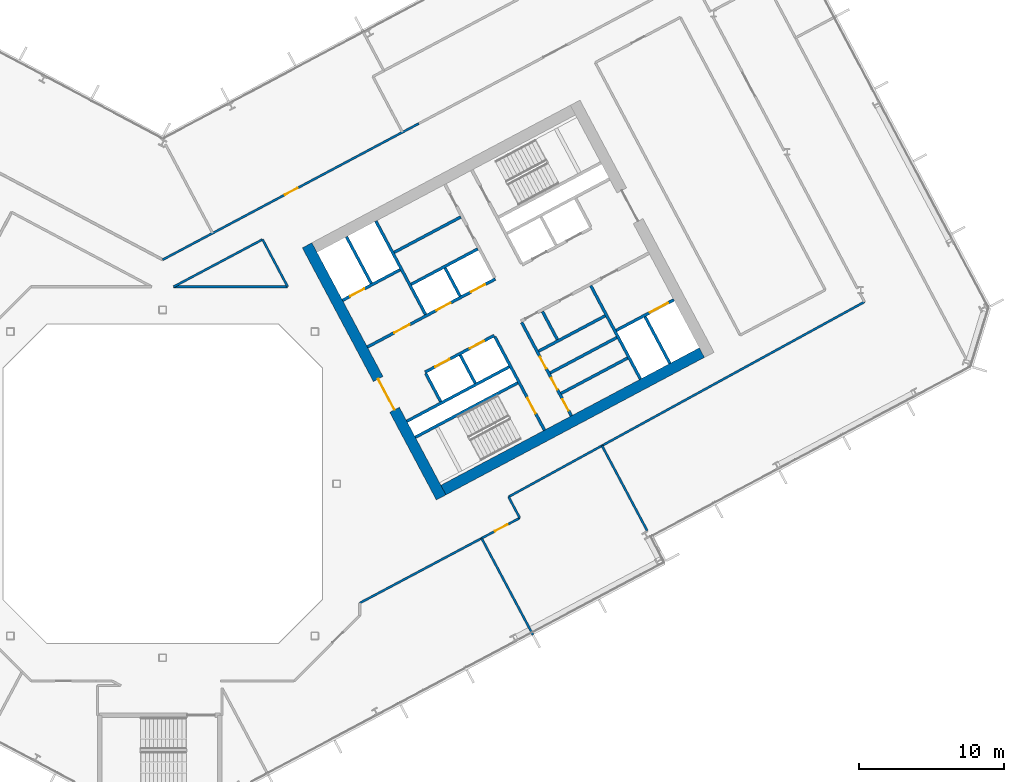
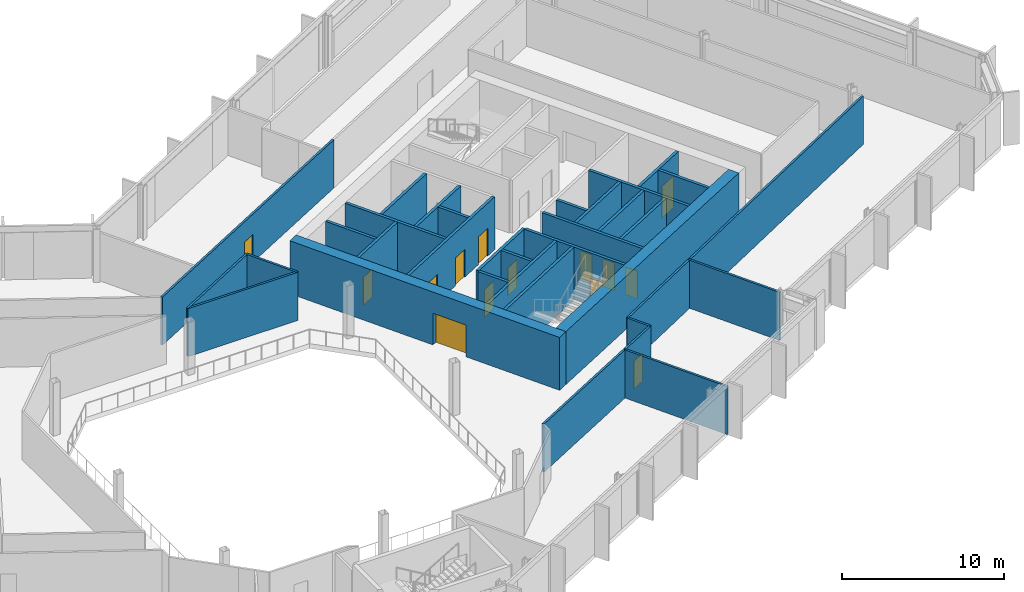
# One storey, part 16 of 28: 34 walls, 14 doors, 14 openings.
"""IFC4 building model written with IfcOpenShell, lengths in metres."""

from ifc_helpers import new_model, si_unit, direction, frame, frame_2d, origin, place, context, subcontext, project, spatial, rectangle, extrude, material, layer, layer_set, type_object, element, fill, save


model = new_model("IFC4")

# Units and contexts
model_context = context("Model", 3, precision=1e-05, world=origin(), true_north=direction((0.0, 1.0)))
body_context = subcontext(model_context, "Body", "Model", "MODEL_VIEW")
ifc_project = project(units=[si_unit("LENGTHUNIT", "METRE"), si_unit("AREAUNIT", "SQUARE_METRE"), si_unit("VOLUMEUNIT", "CUBIC_METRE"), si_unit("PLANEANGLEUNIT", "RADIAN"), si_unit("MASSUNIT", "GRAM", prefix="KILO")], contexts=[model_context])

# Site, building, storey
site_placement = place(None, origin())
site = spatial("IfcSite", under=ifc_project, at=site_placement, CompositionType="ELEMENT")
building_placement = place(site_placement, origin())
building = spatial("IfcBuilding", under=site, at=building_placement, Name="Cormorant Relay Tower", CompositionType="ELEMENT")
storey_placement = place(building_placement, frame((0.0, 0.0, 166.199951171875)))
storey = spatial("IfcBuildingStorey", under=building, at=storey_placement, Name="L35", CompositionType="ELEMENT", Elevation=166.199951171875)

# Walls
ifc_material_1 = material(Name="Concrete 40 MPa", Category="concrete")
ifc_layer_1 = layer(ifc_material_1, 0.199951171875)
ifc_layer_set_1 = layer_set([ifc_layer_1], Name="Core internal wall 200")
wall_type_1 = type_object("IfcWallType", Name="Core internal wall 200", PredefinedType="SOLIDWALL", material=ifc_layer_set_1)
for number, where, z_axis, x_axis, name in (
    (1, (21.567626953125, 6.9375, 0.0), (0.0, 0.0, 1.0), (-0.469533832133, 0.882914480843, 0.0), "L35 core B shaft and room wall"),
    (2, (20.522216796875, 12.950439453125, 0.0), (0.0, 0.0, 1.0), (-0.469401318492, 0.882984938828, 0.0), "L35 core B shaft and room wall"),
    (3, (27.236083984375, 9.951416015625, 0.0), (0.0, 0.0, 1.0), (-0.4694473164, 0.882960484464, 0.0), "L35 core B shaft and room wall"),
):
    element("IfcWall", number, at=place(storey_placement, frame(where, z_axis=z_axis, x_axis=x_axis)), inside=storey, type_object=wall_type_1, Name=name, PredefinedType="SOLIDWALL", context=body_context, shape_type="SweptSolid", body=[
        extrude(rectangle(XDim=2.199951171875, YDim=0.199951171875, at=frame_2d((1.10009765625, 0.0))), origin(), (0.0, 0.0, 1.0), 4.0),
    ])
for number, where, z_axis, x_axis, name in (
    (4, (27.490234375, 6.23583984375, 0.0), (0.0, 0.0, 1.0), (0.882953967957, 0.469459572775, 0.0), "L35 core B shaft and room wall"),
    (5, (26.739013671875, 7.6484375, 0.0), (0.0, 0.0, 1.0), (0.882934506056, 0.469496174655, 0.0), "L35 core B shaft and room wall"),
    (6, (15.97314453125, 15.968017578125, 0.0), (0.0, 0.0, 1.0), (0.882953967957, 0.469459572775, 0.0), "L35 core B shaft and room wall"),
):
    element("IfcWall", number, at=place(storey_placement, frame(where, z_axis=z_axis, x_axis=x_axis)), inside=storey, type_object=wall_type_1, Name=name, PredefinedType="SOLIDWALL", context=body_context, shape_type="SweptSolid", body=[
        extrude(rectangle(XDim=5.199951171875, YDim=0.199951171875, at=frame_2d((2.60009765625, 0.0))), origin(), (0.0, 0.0, 1.0), 4.0),
    ])
ifc_material_2 = material(Name="Concrete 50 MPa", Category="concrete")
ifc_layer_2 = layer(ifc_material_2, 0.199951171875)
ifc_layer_set_2 = layer_set([ifc_layer_2], Name="Core shaft wall 200")
wall_type_2 = type_object("IfcWallType", Name="Core shaft wall 200", PredefinedType="SHEAR", material=ifc_layer_set_2)
wall_1_placement = place(storey_placement, frame((14.39404296875, 13.825927734375, 0.0), z_axis=(0.0, 0.0, 1.0), x_axis=(-0.469494272526, 0.882935517501, 0.0)))
element("IfcWall", 7, at=wall_1_placement, inside=storey, type_object=wall_type_2, Name="L35 core B shaft wall", PredefinedType="SHEAR", context=body_context, shape_type="SweptSolid", body=[
    extrude(rectangle(XDim=3.64990234375, YDim=0.199951171875, at=frame_2d((1.824951171875, 0.0))), origin(), (0.0, 0.0, 1.0), 4.0),
])
wall_2_placement = place(storey_placement, frame((19.18359375, 5.669921875, 0.0), z_axis=(0.0, 0.0, 1.0), x_axis=(-0.4694473164, 0.882960484464, 0.0)))
element("IfcWall", 8, at=wall_2_placement, inside=storey, type_object=wall_type_2, Name="L35 core B shaft wall", PredefinedType="SHEAR", context=body_context, shape_type="SweptSolid", body=[
    extrude(rectangle(XDim=2.199951171875, YDim=0.199951171875, at=frame_2d((1.10009765625, 0.0))), origin(), (0.0, 0.0, 1.0), 4.0),
])
wall_3_placement = place(storey_placement, frame((18.138427734375, 11.682861328125, 0.0), z_axis=(0.0, 0.0, 1.0), x_axis=(-0.469480409012, 0.88294288918, 0.0)))
element("IfcWall", 9, at=wall_3_placement, inside=storey, type_object=wall_type_2, Name="L35 core B shaft wall", PredefinedType="SHEAR", context=body_context, shape_type="SweptSolid", body=[
    extrude(rectangle(XDim=7.300048828125, YDim=0.199951171875, at=frame_2d((3.64990234375, 0.0))), origin(), (0.0, 0.0, 1.0), 4.0),
])

# Wall, opening, door
wall_4_placement = place(storey_placement, frame((26.345947265625, 3.701904296875, 0.0), z_axis=(0.0, 0.0, 1.0), x_axis=(-0.469480409012, 0.88294288918, 0.0)))
wall_4 = element("IfcWall", 10, at=wall_4_placement, inside=storey, type_object=wall_type_2, Name="L35 core B shaft wall", PredefinedType="SHEAR", context=body_context, shape_type="SweptSolid", body=[
    extrude(rectangle(XDim=7.300048828125, YDim=0.199951171875, at=frame_2d((3.64990234375, 0.0))), origin(), (0.0, 0.0, 1.0), 4.0),
])
opening_1_placement = place(wall_4_placement, frame((1.300048828125, 0.0, 0.0)))
opening_1 = element("IfcOpeningElement", 11, at=opening_1_placement, cuts=wall_4, Name="Opening CDB-036", PredefinedType="OPENING", context=body_context, shape_type="SweptSolid", body=[
    extrude(rectangle(XDim=1.199951171875, YDim=2.10009765625, at=frame_2d((0.60009765625, 1.050048828125))), frame((0.0, 0.10986328125, 0.0), z_axis=(0.0, -1.0, 0.0), x_axis=(1.0, 0.0, 0.0)), (0.0, 0.0, 1.0), 0.219970703125),
])
ifc_material_3 = material(Name="Steel fire door", Category="steel")
door_type_1 = type_object("IfcDoorType", Name="Core stair door 1200x2100", OperationType="SINGLE_SWING_LEFT", PredefinedType="DOOR", material=ifc_material_3)
door_1_placement = place(opening_1_placement, origin())
door_1 = element("IfcDoor", 12, at=door_1_placement, inside=storey, type_object=door_type_1, Name="Core stair door 1200x2100", OperationType="SINGLE_SWING_RIGHT", OverallHeight=2.10009765625, OverallWidth=1.199951171875, PredefinedType="DOOR", context=body_context, shape_type="SweptSolid", body=[
    extrude(rectangle(XDim=1.199951171875, YDim=2.10009765625, at=frame_2d((0.60009765625, 1.050048828125))), frame((0.0, 0.02490234375, 0.0), z_axis=(0.0, -1.0, 0.0), x_axis=(1.0, 0.0, 0.0)), (0.0, 0.0, 1.0), 0.050048828125),
])
fill(opening_1, door_1)

# Wall, openings, doors
wall_5_placement = place(storey_placement, frame((28.199951171875, 4.687744140625, 0.0), z_axis=(0.0, 0.0, 1.0), x_axis=(-0.469454336211, 0.882956752176, 0.0)))
wall_5 = element("IfcWall", 13, at=wall_5_placement, inside=storey, type_object=wall_type_2, Name="L35 core B shaft wall", PredefinedType="SHEAR", context=body_context, shape_type="SweptSolid", body=[
    extrude(rectangle(XDim=7.300048828125, YDim=0.199951171875, at=frame_2d((3.64990234375, 0.0))), origin(), (0.0, 0.0, 1.0), 4.0),
])
opening_2_placement = place(wall_5_placement, frame((0.39990234375, 0.0, 0.0)))
opening_2 = element("IfcOpeningElement", 14, at=opening_2_placement, cuts=wall_5, Name="Opening CDD-217", PredefinedType="OPENING", context=body_context, shape_type="SweptSolid", body=[
    extrude(rectangle(XDim=0.89990234375, YDim=2.10009765625, at=frame_2d((0.449951171875, 1.050048828125))), frame((0.0, 0.10986328125, 0.0), z_axis=(0.0, -1.0, 0.0), x_axis=(1.0, 0.0, 0.0)), (0.0, 0.0, 1.0), 0.219970703125),
])
opening_3_placement = place(wall_5_placement, frame((2.050048828125, 0.0, 0.0)))
opening_3 = element("IfcOpeningElement", 15, at=opening_3_placement, cuts=wall_5, Name="Opening CDD-218", PredefinedType="OPENING", context=body_context, shape_type="SweptSolid", body=[
    extrude(rectangle(XDim=0.89990234375, YDim=2.10009765625, at=frame_2d((0.449951171875, 1.050048828125))), frame((0.0, 0.10986328125, 0.0), z_axis=(0.0, -1.0, 0.0), x_axis=(1.0, 0.0, 0.0)), (0.0, 0.0, 1.0), 0.219970703125),
])
opening_4_placement = place(wall_5_placement, frame((3.699951171875, 0.0, 0.0)))
opening_4 = element("IfcOpeningElement", 16, at=opening_4_placement, cuts=wall_5, Name="Opening CDD-219", PredefinedType="OPENING", context=body_context, shape_type="SweptSolid", body=[
    extrude(rectangle(XDim=0.89990234375, YDim=2.10009765625, at=frame_2d((0.449951171875, 1.050048828125))), frame((0.0, 0.10986328125, 0.0), z_axis=(0.0, -1.0, 0.0), x_axis=(1.0, 0.0, 0.0)), (0.0, 0.0, 1.0), 0.219970703125),
])
ifc_material_4 = material(Name="Steel fire door", Category="steel")
door_type_2 = type_object("IfcDoorType", Name="Core room door 900x2100", OperationType="SINGLE_SWING_LEFT", PredefinedType="DOOR", material=ifc_material_4)
door_2_placement = place(opening_2_placement, origin())
door_2 = element("IfcDoor", 17, at=door_2_placement, inside=storey, type_object=door_type_2, Name="Core room door 900x2100", OperationType="SINGLE_SWING_LEFT", OverallHeight=2.10009765625, OverallWidth=0.89990234375, PredefinedType="DOOR", context=body_context, shape_type="SweptSolid", body=[
    extrude(rectangle(XDim=0.89990234375, YDim=2.10009765625, at=frame_2d((0.449951171875, 1.050048828125))), frame((0.0, 0.02490234375, 0.0), z_axis=(0.0, -1.0, 0.0), x_axis=(1.0, 0.0, 0.0)), (0.0, 0.0, 1.0), 0.050048828125),
])
fill(opening_2, door_2)
door_3_placement = place(opening_3_placement, origin())
door_3 = element("IfcDoor", 18, at=door_3_placement, inside=storey, type_object=door_type_2, Name="Core room door 900x2100", OperationType="SINGLE_SWING_RIGHT", OverallHeight=2.10009765625, OverallWidth=0.89990234375, PredefinedType="DOOR", context=body_context, shape_type="SweptSolid", body=[
    extrude(rectangle(XDim=0.89990234375, YDim=2.10009765625, at=frame_2d((0.449951171875, 1.050048828125))), frame((0.0, 0.02490234375, 0.0), z_axis=(0.0, -1.0, 0.0), x_axis=(1.0, 0.0, 0.0)), (0.0, 0.0, 1.0), 0.050048828125),
])
fill(opening_3, door_3)
door_4_placement = place(opening_4_placement, origin())
door_4 = element("IfcDoor", 19, at=door_4_placement, inside=storey, type_object=door_type_2, Name="Core room door 900x2100", OperationType="SINGLE_SWING_RIGHT", OverallHeight=2.10009765625, OverallWidth=0.89990234375, PredefinedType="DOOR", context=body_context, shape_type="SweptSolid", body=[
    extrude(rectangle(XDim=0.89990234375, YDim=2.10009765625, at=frame_2d((0.449951171875, 1.050048828125))), frame((0.0, 0.02490234375, 0.0), z_axis=(0.0, -1.0, 0.0), x_axis=(1.0, 0.0, 0.0)), (0.0, 0.0, 1.0), 0.050048828125),
])
fill(opening_4, door_4)

# Walls
wall_6_placement = place(storey_placement, frame((32.968017578125, 7.222900390625, 0.0), z_axis=(0.0, 0.0, 1.0), x_axis=(-0.469480409012, 0.88294288918, 0.0)))
element("IfcWall", 20, at=wall_6_placement, inside=storey, type_object=wall_type_2, Name="L35 core B shaft wall", PredefinedType="SHEAR", context=body_context, shape_type="SweptSolid", body=[
    extrude(rectangle(XDim=7.300048828125, YDim=0.199951171875, at=frame_2d((3.64990234375, 0.0))), origin(), (0.0, 0.0, 1.0), 4.0),
])
wall_7_placement = place(storey_placement, frame((34.998779296875, 8.302734375, 0.0), z_axis=(0.0, 0.0, 1.0), x_axis=(-0.4694665462, 0.882950260207, 0.0)))
element("IfcWall", 21, at=wall_7_placement, inside=storey, type_object=wall_type_2, Name="L35 core B shaft wall", PredefinedType="SHEAR", context=body_context, shape_type="SweptSolid", body=[
    extrude(rectangle(XDim=3.650146484375, YDim=0.199951171875, at=frame_2d((1.8251953125, 0.0))), origin(), (0.0, 0.0, 1.0), 4.0),
])
wall_8_placement = place(storey_placement, frame((17.43359375, 3.210205078125, 0.0), z_axis=(0.0, 0.0, 1.0), x_axis=(0.882940221191, 0.469485426614, 0.0)))
element("IfcWall", 22, at=wall_8_placement, inside=storey, type_object=wall_type_2, Name="L35 core B shaft wall", PredefinedType="SHEAR", context=body_context, shape_type="SweptSolid", body=[
    extrude(rectangle(XDim=8.0, YDim=0.199951171875, at=frame_2d((4.0, 0.0))), origin(), (0.0, 0.0, 1.0), 4.0),
])

# Wall, opening, door
wall_9_placement = place(storey_placement, frame((31.295654296875, 10.5810546875, 0.0), z_axis=(0.0, 0.0, 1.0), x_axis=(0.882960433586, 0.469447412093, 0.0)))
wall_9 = element("IfcWall", 23, at=wall_9_placement, inside=storey, type_object=wall_type_2, Name="L35 core B shaft wall", PredefinedType="SHEAR", context=body_context, shape_type="SweptSolid", body=[
    extrude(rectangle(XDim=4.5, YDim=0.199951171875, at=frame_2d((2.25, 0.0))), origin(), (0.0, 0.0, 1.0), 4.0),
])
opening_5_placement = place(wall_9_placement, frame((2.64990234375, 0.0, 0.0)))
opening_5 = element("IfcOpeningElement", 24, at=opening_5_placement, cuts=wall_9, Name="Opening LD3-014", PredefinedType="OPENING", context=body_context, shape_type="SweptSolid", body=[
    extrude(rectangle(XDim=1.39990234375, YDim=2.39990234375, at=frame_2d((0.699951171875, 1.199951171875))), frame((0.0, 0.10986328125, 0.0), z_axis=(0.0, -1.0, 0.0), x_axis=(1.0, 0.0, 0.0)), (0.0, 0.0, 1.0), 0.219970703125),
])
ifc_material_5 = material(Name="Stainless steel 316", Category="steel")
door_type_3 = type_object("IfcDoorType", Name="Lift landing door 1400x2400", OperationType="DOUBLE_DOOR_SLIDING", PredefinedType="DOOR", material=ifc_material_5)
door_5_placement = place(opening_5_placement, origin())
door_5 = element("IfcDoor", 25, at=door_5_placement, inside=storey, type_object=door_type_3, Name="SV2 landing door", OperationType="DOUBLE_DOOR_SLIDING", OverallHeight=2.39990234375, OverallWidth=1.39990234375, PredefinedType="DOOR", context=body_context, shape_type="SweptSolid", body=[
    extrude(rectangle(XDim=1.39990234375, YDim=2.39990234375, at=frame_2d((0.699951171875, 1.199951171875))), frame((0.0, 0.02490234375, 0.0), z_axis=(0.0, -1.0, 0.0), x_axis=(1.0, 0.0, 0.0)), (0.0, 0.0, 1.0), 0.050048828125),
])
fill(opening_5, door_5)

# Walls
wall_10_placement = place(storey_placement, frame((16.8466796875, 4.31396484375, 0.0), z_axis=(0.0, 0.0, 1.0), x_axis=(0.882940221191, 0.469485426614, 0.0)))
element("IfcWall", 26, at=wall_10_placement, inside=storey, type_object=wall_type_2, Name="L35 core B shaft wall", PredefinedType="SHEAR", context=body_context, shape_type="SweptSolid", body=[
    extrude(rectangle(XDim=8.0, YDim=0.199951171875, at=frame_2d((4.0, 0.0))), origin(), (0.0, 0.0, 1.0), 4.0),
])
wall_11_placement = place(storey_placement, frame((25.94091796875, 9.149658203125, 0.0), z_axis=(0.0, 0.0, 1.0), x_axis=(0.882953967957, 0.469459572775, 0.0)))
element("IfcWall", 27, at=wall_11_placement, inside=storey, type_object=wall_type_2, Name="L35 core B shaft wall", PredefinedType="SHEAR", context=body_context, shape_type="SweptSolid", body=[
    extrude(rectangle(XDim=5.199951171875, YDim=0.199951171875, at=frame_2d((2.60009765625, 0.0))), origin(), (0.0, 0.0, 1.0), 4.0),
])

# Wall, openings, doors
wall_12_placement = place(storey_placement, frame((18.103759765625, 7.70068359375, 0.0), z_axis=(0.0, 0.0, 1.0), x_axis=(0.882952937579, 0.469461510692, 0.0)))
wall_12 = element("IfcWall", 28, at=wall_12_placement, inside=storey, type_object=wall_type_2, Name="L35 core B shaft wall", PredefinedType="SHEAR", context=body_context, shape_type="SweptSolid", body=[
    extrude(rectangle(XDim=5.400146484375, YDim=0.199951171875, at=frame_2d((2.7001953125, 0.0))), origin(), (0.0, 0.0, 1.0), 4.0),
])
opening_6_placement = place(wall_12_placement, frame((0.800048828125, 0.0, 0.0)))
opening_6 = element("IfcOpeningElement", 29, at=opening_6_placement, cuts=wall_12, Name="Opening LD1-048", PredefinedType="OPENING", context=body_context, shape_type="SweptSolid", body=[
    extrude(rectangle(XDim=1.10009765625, YDim=2.10009765625, at=frame_2d((0.550048828125, 1.050048828125))), frame((0.0, 0.10986328125, 0.0), z_axis=(0.0, -1.0, 0.0), x_axis=(1.0, 0.0, 0.0)), (0.0, 0.0, 1.0), 0.219970703125),
])
opening_7_placement = place(wall_12_placement, frame((3.5, 0.0, 0.0)))
opening_7 = element("IfcOpeningElement", 30, at=opening_7_placement, cuts=wall_12, Name="Opening LD1-049", PredefinedType="OPENING", context=body_context, shape_type="SweptSolid", body=[
    extrude(rectangle(XDim=1.10009765625, YDim=2.10009765625, at=frame_2d((0.550048828125, 1.050048828125))), frame((0.0, 0.10986328125, 0.0), z_axis=(0.0, -1.0, 0.0), x_axis=(1.0, 0.0, 0.0)), (0.0, 0.0, 1.0), 0.219970703125),
])
ifc_material_6 = material(Name="Stainless steel 316", Category="steel")
door_type_4 = type_object("IfcDoorType", Name="Lift landing door 1100x2100", OperationType="DOUBLE_DOOR_SLIDING", PredefinedType="DOOR", material=ifc_material_6)
door_6_placement = place(opening_6_placement, origin())
door_6 = element("IfcDoor", 31, at=door_6_placement, inside=storey, type_object=door_type_4, Name="LR5 landing door", OperationType="DOUBLE_DOOR_SLIDING", OverallHeight=2.10009765625, OverallWidth=1.10009765625, PredefinedType="DOOR", context=body_context, shape_type="SweptSolid", body=[
    extrude(rectangle(XDim=1.10009765625, YDim=2.10009765625, at=frame_2d((0.550048828125, 1.050048828125))), frame((0.0, 0.02490234375, 0.0), z_axis=(0.0, -1.0, 0.0), x_axis=(1.0, 0.0, 0.0)), (0.0, 0.0, 1.0), 0.050048828125),
])
fill(opening_6, door_6)
door_7_placement = place(opening_7_placement, origin())
door_7 = element("IfcDoor", 32, at=door_7_placement, inside=storey, type_object=door_type_4, Name="LR6 landing door", OperationType="DOUBLE_DOOR_SLIDING", OverallHeight=2.10009765625, OverallWidth=1.10009765625, PredefinedType="DOOR", context=body_context, shape_type="SweptSolid", body=[
    extrude(rectangle(XDim=1.10009765625, YDim=2.10009765625, at=frame_2d((0.550048828125, 1.050048828125))), frame((0.0, 0.02490234375, 0.0), z_axis=(0.0, -1.0, 0.0), x_axis=(1.0, 0.0, 0.0)), (0.0, 0.0, 1.0), 0.050048828125),
])
fill(opening_7, door_7)

wall_13_placement = place(storey_placement, frame((14.123779296875, 9.43505859375, 0.0), z_axis=(0.0, 0.0, 1.0), x_axis=(0.882940221191, 0.469485426614, 0.0)))
wall_13 = element("IfcWall", 33, at=wall_13_placement, inside=storey, type_object=wall_type_2, Name="L35 core B shaft wall", PredefinedType="SHEAR", context=body_context, shape_type="SweptSolid", body=[
    extrude(rectangle(XDim=10.0, YDim=0.199951171875, at=frame_2d((5.0, 0.0))), origin(), (0.0, 0.0, 1.0), 4.0),
])
opening_8_placement = place(wall_13_placement, frame((2.10009765625, 0.0, 0.0)))
opening_8 = element("IfcOpeningElement", 34, at=opening_8_placement, cuts=wall_13, Name="Opening CDC-027", PredefinedType="OPENING", context=body_context, shape_type="SweptSolid", body=[
    extrude(rectangle(XDim=1.199951171875, YDim=2.10009765625, at=frame_2d((0.60009765625, 1.050048828125))), frame((0.0, 0.10986328125, 0.0), z_axis=(0.0, -1.0, 0.0), x_axis=(1.0, 0.0, 0.0)), (0.0, 0.0, 1.0), 0.219970703125),
])
opening_9_placement = place(wall_13_placement, frame((5.39990234375, 0.0, 0.0)))
opening_9 = element("IfcOpeningElement", 35, at=opening_9_placement, cuts=wall_13, Name="Opening LD1-044", PredefinedType="OPENING", context=body_context, shape_type="SweptSolid", body=[
    extrude(rectangle(XDim=1.10009765625, YDim=2.10009765625, at=frame_2d((0.550048828125, 1.050048828125))), frame((0.0, 0.10986328125, 0.0), z_axis=(0.0, -1.0, 0.0), x_axis=(1.0, 0.0, 0.0)), (0.0, 0.0, 1.0), 0.219970703125),
])
opening_10_placement = place(wall_13_placement, frame((8.10009765625, 0.0, 0.0)))
opening_10 = element("IfcOpeningElement", 36, at=opening_10_placement, cuts=wall_13, Name="Opening LD1-045", PredefinedType="OPENING", context=body_context, shape_type="SweptSolid", body=[
    extrude(rectangle(XDim=1.10009765625, YDim=2.10009765625, at=frame_2d((0.550048828125, 1.050048828125))), frame((0.0, 0.10986328125, 0.0), z_axis=(0.0, -1.0, 0.0), x_axis=(1.0, 0.0, 0.0)), (0.0, 0.0, 1.0), 0.219970703125),
])
ifc_material_7 = material(Name="Steel fire door", Category="steel")
door_type_5 = type_object("IfcDoorType", Name="Core lobby door 1200x2100", OperationType="SINGLE_SWING_LEFT", PredefinedType="DOOR", material=ifc_material_7)
door_8_placement = place(opening_8_placement, origin())
door_8 = element("IfcDoor", 37, at=door_8_placement, inside=storey, type_object=door_type_5, Name="Core lobby door 1200x2100", OperationType="SINGLE_SWING_RIGHT", OverallHeight=2.10009765625, OverallWidth=1.199951171875, PredefinedType="DOOR", context=body_context, shape_type="SweptSolid", body=[
    extrude(rectangle(XDim=1.199951171875, YDim=2.10009765625, at=frame_2d((0.60009765625, 1.050048828125))), frame((0.0, 0.02490234375, 0.0), z_axis=(0.0, -1.0, 0.0), x_axis=(1.0, 0.0, 0.0)), (0.0, 0.0, 1.0), 0.050048828125),
])
fill(opening_8, door_8)
door_9_placement = place(opening_9_placement, origin())
door_9 = element("IfcDoor", 38, at=door_9_placement, inside=storey, type_object=door_type_4, Name="LR1 landing door", OperationType="DOUBLE_DOOR_SLIDING", OverallHeight=2.10009765625, OverallWidth=1.10009765625, PredefinedType="DOOR", context=body_context, shape_type="SweptSolid", body=[
    extrude(rectangle(XDim=1.10009765625, YDim=2.10009765625, at=frame_2d((0.550048828125, 1.050048828125))), frame((0.0, 0.02490234375, 0.0), z_axis=(0.0, -1.0, 0.0), x_axis=(1.0, 0.0, 0.0)), (0.0, 0.0, 1.0), 0.050048828125),
])
fill(opening_9, door_9)
door_10_placement = place(opening_10_placement, origin())
door_10 = element("IfcDoor", 39, at=door_10_placement, inside=storey, type_object=door_type_4, Name="LR2 landing door", OperationType="DOUBLE_DOOR_SLIDING", OverallHeight=2.10009765625, OverallWidth=1.10009765625, PredefinedType="DOOR", context=body_context, shape_type="SweptSolid", body=[
    extrude(rectangle(XDim=1.10009765625, YDim=2.10009765625, at=frame_2d((0.550048828125, 1.050048828125))), frame((0.0, 0.02490234375, 0.0), z_axis=(0.0, -1.0, 0.0), x_axis=(1.0, 0.0, 0.0)), (0.0, 0.0, 1.0), 0.050048828125),
])
fill(opening_10, door_10)

# Wall
wall_14_placement = place(storey_placement, frame((17.146728515625, 13.7607421875, 0.0), z_axis=(0.0, 0.0, 1.0), x_axis=(0.882964314875, 0.469440111896, 0.0)))
element("IfcWall", 40, at=wall_14_placement, inside=storey, type_object=wall_type_2, Name="L35 core B shaft wall", PredefinedType="SHEAR", context=body_context, shape_type="SweptSolid", body=[
    extrude(rectangle(XDim=5.2001953125, YDim=0.199951171875, at=frame_2d((2.60009765625, 0.0))), origin(), (0.0, 0.0, 1.0), 4.0),
])

# Wall, opening, door
wall_15_placement = place(storey_placement, frame((12.41015625, 12.657958984375, 0.0), z_axis=(0.0, 0.0, 1.0), x_axis=(0.8829484765, 0.469469900894, 0.0)))
wall_15 = element("IfcWall", 41, at=wall_15_placement, inside=storey, type_object=wall_type_2, Name="L35 core B shaft wall", PredefinedType="SHEAR", context=body_context, shape_type="SweptSolid", body=[
    extrude(rectangle(XDim=4.499755859375, YDim=0.199951171875, at=frame_2d((2.25, 0.0))), origin(), (0.0, 0.0, 1.0), 4.0),
])
opening_11_placement = place(wall_15_placement, frame((0.60009765625, 0.0, 0.0)))
opening_11 = element("IfcOpeningElement", 42, at=opening_11_placement, cuts=wall_15, Name="Opening LD1-050", PredefinedType="OPENING", context=body_context, shape_type="SweptSolid", body=[
    extrude(rectangle(XDim=1.10009765625, YDim=2.10009765625, at=frame_2d((0.550048828125, 1.050048828125))), frame((0.0, 0.10986328125, 0.0), z_axis=(0.0, -1.0, 0.0), x_axis=(1.0, 0.0, 0.0)), (0.0, 0.0, 1.0), 0.219970703125),
])
door_11_placement = place(opening_11_placement, origin())
door_11 = element("IfcDoor", 43, at=door_11_placement, inside=storey, type_object=door_type_4, Name="FF2 landing door", OperationType="DOUBLE_DOOR_SLIDING", OverallHeight=2.10009765625, OverallWidth=1.10009765625, PredefinedType="DOOR", context=body_context, shape_type="SweptSolid", body=[
    extrude(rectangle(XDim=1.10009765625, YDim=2.10009765625, at=frame_2d((0.550048828125, 1.050048828125))), frame((0.0, 0.02490234375, 0.0), z_axis=(0.0, -1.0, 0.0), x_axis=(1.0, 0.0, 0.0)), (0.0, 0.0, 1.0), 0.050048828125),
])
fill(opening_11, door_11)

ifc_material_8 = material(Name="Concrete 60 MPa", Category="concrete")
ifc_layer_3 = layer(ifc_material_8, 0.75)
ifc_layer_set_3 = layer_set([ifc_layer_3], Name="Core wall 750")
wall_type_3 = type_object("IfcWallType", Name="Core wall 750", PredefinedType="SHEAR", material=ifc_layer_set_3)
wall_16_placement = place(storey_placement, frame((19.215087890625, -0.93896484375, 0.0), z_axis=(0.0, 0.0, 1.0), x_axis=(-0.469479580143, 0.882943329908, 0.0)))
wall_16 = element("IfcWall", 44, at=wall_16_placement, inside=storey, type_object=wall_type_3, Name="L35 core B wall", PredefinedType="SHEAR", context=body_context, shape_type="SweptSolid", body=[
    extrude(rectangle(XDim=19.699951171875, YDim=0.75, at=frame_2d((9.85009765625, 0.0))), origin(), (0.0, 0.0, 1.0), 4.0),
])
opening_12_placement = place(wall_16_placement, frame((6.85009765625, 0.0, 0.0)))
opening_12 = element("IfcOpeningElement", 45, at=opening_12_placement, cuts=wall_16, Name="Opening CDA-031", PredefinedType="OPENING", context=body_context, shape_type="SweptSolid", body=[
    extrude(rectangle(XDim=2.39990234375, YDim=2.39990234375, at=frame_2d((1.199951171875, 1.199951171875))), frame((0.0, 0.385009765625, 0.0), z_axis=(0.0, -1.0, 0.0), x_axis=(1.0, 0.0, 0.0)), (0.0, 0.0, 1.0), 0.77001953125),
])
ifc_material_9 = material(Name="Steel fire door", Category="steel")
door_type_6 = type_object("IfcDoorType", Name="Core lobby door 2400x2400", OperationType="DOUBLE_DOOR_SINGLE_SWING", PredefinedType="DOOR", material=ifc_material_9)
door_12_placement = place(opening_12_placement, origin())
door_12 = element("IfcDoor", 46, at=door_12_placement, inside=storey, type_object=door_type_6, Name="Core lobby door 2400x2400", OperationType="DOUBLE_DOOR_SINGLE_SWING", OverallHeight=2.39990234375, OverallWidth=2.39990234375, PredefinedType="DOOR", context=body_context, shape_type="SweptSolid", body=[
    extrude(rectangle(XDim=2.39990234375, YDim=2.39990234375, at=frame_2d((1.199951171875, 1.199951171875))), frame((0.0, 0.02490234375, 0.0), z_axis=(0.0, -1.0, 0.0), x_axis=(1.0, 0.0, 0.0)), (0.0, 0.0, 1.0), 0.050048828125),
])
fill(opening_12, door_12)

# Wall
wall_17_placement = place(storey_placement, frame((19.3701171875, -0.431884765625, 0.0), z_axis=(0.0, 0.0, 1.0), x_axis=(0.88294509198, 0.469476266226, 0.0)))
element("IfcWall", 47, at=wall_17_placement, inside=storey, type_object=wall_type_3, Name="L35 core B wall", PredefinedType="SHEAR", context=body_context, shape_type="SweptSolid", body=[
    extrude(rectangle(XDim=20.199951171875, YDim=0.75, at=frame_2d((10.10009765625, 0.0))), origin(), (0.0, 0.0, 1.0), 4.0),
])

# Wall, opening, door
ifc_material_10 = material(Name="Gypsum board fire partition")
ifc_layer_4 = layer(ifc_material_10, 0.14990234375)
ifc_layer_set_4 = layer_set([ifc_layer_4], Name="Corridor partition 150 EI 60")
wall_type_4 = type_object("IfcWallType", Name="Corridor partition 150 EI 60", PredefinedType="PARTITIONING", material=ifc_layer_set_4)
wall_18_placement = place(storey_placement, frame((0.0, 15.4599609375, 0.0), z_axis=(0.0, 0.0, 1.0), x_axis=(0.882949722977, 0.469467556594, 0.0)))
wall_18 = element("IfcWall", 48, at=wall_18_placement, inside=storey, type_object=wall_type_4, Name="wall/L35/part/034", PredefinedType="PARTITIONING", context=body_context, shape_type="SweptSolid", body=[
    extrude(rectangle(XDim=20.0205078125, YDim=0.14990234375, at=frame_2d((10.01025390625, 0.0))), origin(), (0.0, 0.0, 1.0), 3.64013671875),
])
opening_13_placement = place(wall_18_placement, frame((9.550048828125, 0.0, 0.0)))
opening_13 = element("IfcOpeningElement", 49, at=opening_13_placement, cuts=wall_18, Name="Opening DS-066", PredefinedType="OPENING", context=body_context, shape_type="SweptSolid", body=[
    extrude(rectangle(XDim=1.0, YDim=2.10009765625, at=frame_2d((0.5, 1.050048828125))), frame((0.0, 0.0849609375, 0.0), z_axis=(0.0, -1.0, 0.0), x_axis=(1.0, 0.0, 0.0)), (0.0, 0.0, 1.0), 0.169921875),
])
ifc_material_11 = material(Name="Timber door leaf", Category="wood")
door_type_7 = type_object("IfcDoorType", Name="Suite door 1000x2100", OperationType="SINGLE_SWING_LEFT", PredefinedType="DOOR", material=ifc_material_11)
door_13_placement = place(opening_13_placement, origin())
door_13 = element("IfcDoor", 50, at=door_13_placement, inside=storey, type_object=door_type_7, Name="door/L35/007", OperationType="SINGLE_SWING_LEFT", OverallHeight=2.10009765625, OverallWidth=1.0, PredefinedType="DOOR", context=body_context, shape_type="SweptSolid", body=[
    extrude(rectangle(XDim=1.0, YDim=2.10009765625, at=frame_2d((0.5, 1.050048828125))), frame((0.0, 0.02490234375, 0.0), z_axis=(0.0, -1.0, 0.0), x_axis=(1.0, 0.0, 0.0)), (0.0, 0.0, 1.0), 0.050048828125),
])
fill(opening_13, door_13)

# Walls
wall_19_placement = place(storey_placement, frame((22.032958984375, -3.7451171875, 0.0), z_axis=(0.0, 0.0, 1.0), x_axis=(-0.882987596652, -0.469396318859, 0.0)))
element("IfcWall", 51, at=wall_19_placement, inside=storey, type_object=wall_type_4, Name="wall/L35/part/056", PredefinedType="PARTITIONING", context=body_context, shape_type="SweptSolid", body=[
    extrude(rectangle(XDim=9.55029296875, YDim=0.14990234375, at=frame_2d((4.775146484375, 0.0))), origin(), (0.0, 0.0, 1.0), 3.64013671875),
])
wall_20_placement = place(storey_placement, frame((23.867919921875, -0.904052734375, 0.0), z_axis=(0.0, 0.0, 1.0), x_axis=(0.469549041813, -0.882906392169, 0.0)))
element("IfcWall", 52, at=wall_20_placement, inside=storey, type_object=wall_type_4, Name="wall/L35/part/064", PredefinedType="PARTITIONING", context=body_context, shape_type="SweptSolid", body=[
    extrude(rectangle(XDim=1.646728515625, YDim=0.14990234375, at=frame_2d((0.8232421875, 0.0))), origin(), (0.0, 0.0, 1.0), 3.64013671875),
])

# Wall, opening, door
wall_21_placement = place(storey_placement, frame((24.64111328125, -2.35791015625, 0.0), z_axis=(0.0, 0.0, 1.0), x_axis=(-0.882887698607, -0.46958419016, 0.0)))
wall_21 = element("IfcWall", 53, at=wall_21_placement, inside=storey, type_object=wall_type_4, Name="wall/L35/part/065", PredefinedType="PARTITIONING", context=body_context, shape_type="SweptSolid", body=[
    extrude(rectangle(XDim=2.9541015625, YDim=0.14990234375, at=frame_2d((1.47705078125, 0.0))), origin(), (0.0, 0.0, 1.0), 3.64013671875),
])
opening_14_placement = place(wall_21_placement, frame((0.949951171875, 0.0, 0.0)))
opening_14 = element("IfcOpeningElement", 54, at=opening_14_placement, cuts=wall_21, Name="Opening DS-065", PredefinedType="OPENING", context=body_context, shape_type="SweptSolid", body=[
    extrude(rectangle(XDim=1.0, YDim=2.10009765625, at=frame_2d((0.5, 1.050048828125))), frame((0.0, 0.0849609375, 0.0), z_axis=(0.0, -1.0, 0.0), x_axis=(1.0, 0.0, 0.0)), (0.0, 0.0, 1.0), 0.169921875),
])
door_14_placement = place(opening_14_placement, origin())
door_14 = element("IfcDoor", 55, at=door_14_placement, inside=storey, type_object=door_type_7, Name="door/L35/004", OperationType="SINGLE_SWING_RIGHT", OverallHeight=2.10009765625, OverallWidth=1.0, PredefinedType="DOOR", context=body_context, shape_type="SweptSolid", body=[
    extrude(rectangle(XDim=1.0, YDim=2.10009765625, at=frame_2d((0.5, 1.050048828125))), frame((0.0, 0.02490234375, 0.0), z_axis=(0.0, -1.0, 0.0), x_axis=(1.0, 0.0, 0.0)), (0.0, 0.0, 1.0), 0.050048828125),
])
fill(opening_14, door_14)

# Walls
wall_22_placement = place(storey_placement, frame((30.405029296875, 2.680908203125, 0.0), z_axis=(0.0, 0.0, 1.0), x_axis=(-0.877016761441, -0.480459779952, 0.0)))
element("IfcWall", 56, at=wall_22_placement, inside=storey, type_object=wall_type_4, Name="wall/L35/part/067", PredefinedType="PARTITIONING", context=body_context, shape_type="SweptSolid", body=[
    extrude(rectangle(XDim=7.454833984375, YDim=0.14990234375, at=frame_2d((3.7275390625, 0.0))), origin(), (0.0, 0.0, 1.0), 3.64013671875),
])
wall_23_placement = place(storey_placement, frame((48.425048828125, 12.552978515625, 0.0), z_axis=(0.0, 0.0, 1.0), x_axis=(-0.877014972238, -0.480463045894, 0.0)))
element("IfcWall", 57, at=wall_23_placement, inside=storey, type_object=wall_type_4, Name="wall/L35/part/071", PredefinedType="PARTITIONING", context=body_context, shape_type="SweptSolid", body=[
    extrude(rectangle(XDim=20.546875, YDim=0.14990234375, at=frame_2d((10.2734375, 0.0))), origin(), (0.0, 0.0, 1.0), 3.64013671875),
])
wall_24_placement = place(storey_placement, frame((0.762939453125, 13.60009765625, 0.0), z_axis=(0.0, 0.0, 1.0), x_axis=(1.0, 0.0, 0.0)))
element("IfcWall", 58, at=wall_24_placement, inside=storey, type_object=wall_type_4, Name="wall/L35/part/082", PredefinedType="PARTITIONING", context=body_context, shape_type="SweptSolid", body=[
    extrude(rectangle(XDim=7.862060546875, YDim=0.14990234375, at=frame_2d((3.93115234375, 0.0))), origin(), (0.0, 0.0, 1.0), 3.64013671875),
])
wall_25_placement = place(storey_placement, frame((8.625, 13.60009765625, 0.0), z_axis=(0.0, 0.0, 1.0), x_axis=(-0.469509851752, 0.88292723319, 0.0)))
element("IfcWall", 59, at=wall_25_placement, inside=storey, type_object=wall_type_4, Name="wall/L35/part/083", PredefinedType="PARTITIONING", context=body_context, shape_type="SweptSolid", body=[
    extrude(rectangle(XDim=3.69091796875, YDim=0.14990234375, at=frame_2d((1.845458984375, 0.0))), origin(), (0.0, 0.0, 1.0), 3.64013671875),
])
wall_26_placement = place(storey_placement, frame((6.89208984375, 16.85888671875, 0.0), z_axis=(0.0, 0.0, 1.0), x_axis=(-0.882955833877, -0.469456063357, 0.0)))
element("IfcWall", 60, at=wall_26_placement, inside=storey, type_object=wall_type_4, Name="wall/L35/part/084", PredefinedType="PARTITIONING", context=body_context, shape_type="SweptSolid", body=[
    extrude(rectangle(XDim=6.941650390625, YDim=0.14990234375, at=frame_2d((3.470703125, 0.0))), origin(), (0.0, 0.0, 1.0), 3.64013671875),
])
ifc_material_12 = material(Name="Gypsum board partition")
ifc_layer_5 = layer(ifc_material_12, 0.14990234375)
ifc_layer_set_5 = layer_set([ifc_layer_5], Name="Tenant partition 150")
wall_type_5 = type_object("IfcWallType", Name="Tenant partition 150", PredefinedType="PARTITIONING", material=ifc_layer_set_5)
wall_27_placement = place(storey_placement, frame((22.007080078125, -3.758056640625, 0.0), z_axis=(0.0, 0.0, 1.0), x_axis=(0.469527165858, -0.882918025935, 0.0)))
element("IfcWall", 61, at=wall_27_placement, inside=storey, type_object=wall_type_5, Name="wall/L35/part/055", PredefinedType="PARTITIONING", context=body_context, shape_type="SweptSolid", body=[
    extrude(rectangle(XDim=7.550048828125, YDim=0.14990234375, at=frame_2d((3.77490234375, 0.0))), origin(), (0.0, 0.0, 1.0), 3.64013671875),
])
wall_28_placement = place(storey_placement, frame((30.31298828125, 2.631103515625, 0.0), z_axis=(0.0, 0.0, 1.0), x_axis=(0.469521541478, -0.882921016902, 0.0)))
element("IfcWall", 62, at=wall_28_placement, inside=storey, type_object=wall_type_5, Name="wall/L35/part/066", PredefinedType="PARTITIONING", context=body_context, shape_type="SweptSolid", body=[
    extrude(rectangle(XDim=6.642822265625, YDim=0.14990234375, at=frame_2d((3.3212890625, 0.0))), origin(), (0.0, 0.0, 1.0), 3.64013671875),
])

save(model, "model.ifc")
